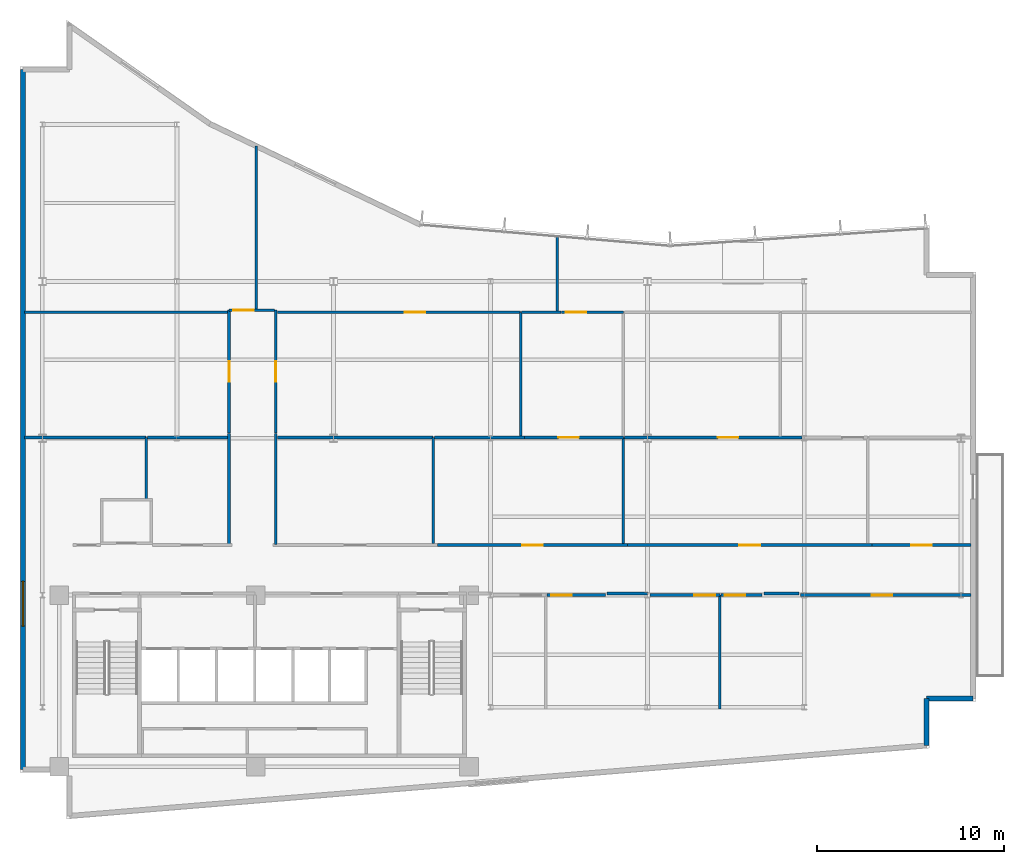
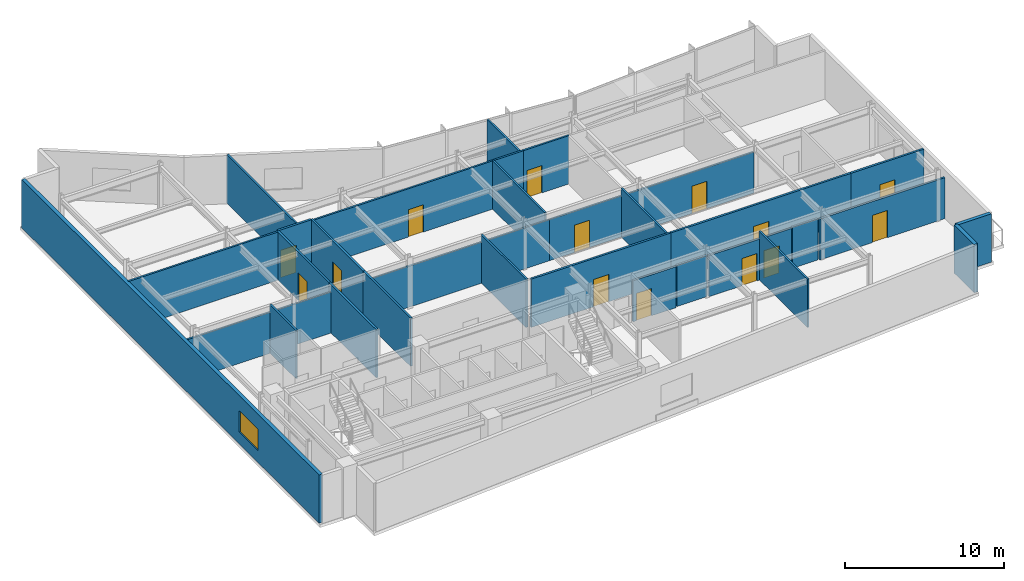
# One storey, part 10 of 14: 34 walls, 14 doors, 1 window, 15 openings.
"""IFC4 building model written with IfcOpenShell, lengths in metres."""

from ifc_helpers import new_model, si_unit, direction, frame, frame_2d, origin, place, context, subcontext, project, spatial, rectangle, extrude, material, layer, layer_set, type_object, element, fill, save


model = new_model("IFC4")

# Units and contexts
model_context = context("Model", 3, precision=1e-05, world=origin(), true_north=direction((0.0, 1.0)))
body_context = subcontext(model_context, "Body", "Model", "MODEL_VIEW")
ifc_project = project(units=[si_unit("LENGTHUNIT", "METRE"), si_unit("AREAUNIT", "SQUARE_METRE"), si_unit("VOLUMEUNIT", "CUBIC_METRE"), si_unit("PLANEANGLEUNIT", "RADIAN"), si_unit("MASSUNIT", "GRAM", prefix="KILO")], contexts=[model_context])

# Site, building, storey
site_placement = place(None, origin())
site = spatial("IfcSite", under=ifc_project, at=site_placement, CompositionType="ELEMENT")
building_placement = place(site_placement, origin())
building = spatial("IfcBuilding", under=site, at=building_placement, Name="Varnakote Quay Hospital", CompositionType="ELEMENT")
storey_placement = place(building_placement, frame((0.0, 0.0, 211.85009765625)))
storey = spatial("IfcBuildingStorey", under=building, at=storey_placement, Name="L52", CompositionType="ELEMENT", Elevation=211.85009765625)

# Walls
ifc_material_1 = material(Name="Fire-rated acoustic gypsum stud wall", Category="gypsum")
ifc_layer_1 = layer(ifc_material_1, 0.159912109375)
ifc_layer_set_1 = layer_set([ifc_layer_1], Name="Fire-rated acoustic gypsum stud wall")
wall_type_1 = type_object("IfcWallType", Name="WL-COMP-160", PredefinedType="PARTITIONING", material=ifc_layer_set_1)
wall_1_placement = place(storey_placement, frame((31.439208984375, 12.080078125, 0.0), z_axis=(0.0, 0.0, 1.0), x_axis=(1.0, 0.0, 0.0)))
element("IfcWall", 1, at=wall_1_placement, inside=storey, type_object=wall_type_1, Name="L52 Corridor South Gap Wall", PredefinedType="PARTITIONING", context=body_context, shape_type="SweptSolid", body=[
    extrude(rectangle(XDim=2.199462890625, YDim=0.159912109375, at=frame_2d((1.099609375, 0.0))), origin(), (0.0, 0.0, 1.0), 3.15185546875),
])
wall_2_placement = place(storey_placement, frame((39.83935546875, 12.080078125, 0.0), z_axis=(0.0, 0.0, 1.0), x_axis=(1.0, 0.0, 0.0)))
element("IfcWall", 2, at=wall_2_placement, inside=storey, type_object=wall_type_1, Name="L52 Corridor South Gap Wall", PredefinedType="PARTITIONING", context=body_context, shape_type="SweptSolid", body=[
    extrude(rectangle(XDim=1.871337890625, YDim=0.159912109375, at=frame_2d((0.935546875, 0.0))), origin(), (0.0, 0.0, 1.0), 3.15185546875),
])
ifc_material_2 = material(Name="Precast concrete N50 (f'c 50 MPa)", Category="concrete")
ifc_layer_2 = layer(ifc_material_2, 0.260009765625)
ifc_layer_set_2 = layer_set([ifc_layer_2], Name="Precast concrete N50 (f'c 50 MPa)")
wall_type_2 = type_object("IfcWallType", Name="WL-EXT-BRICK-260", PredefinedType="STANDARD", material=ifc_layer_set_2)
wall_3_placement = place(storey_placement, frame((48.5400390625, 3.947509765625, 0.0), z_axis=(0.0, 0.0, 1.0), x_axis=(0.0, 1.0, 0.0)))
element("IfcWall", 3, at=wall_3_placement, inside=storey, type_object=wall_type_2, Name="L52 Brick-Faced Precast Exterior Wall", PredefinedType="STANDARD", context=body_context, shape_type="SweptSolid", body=[
    extrude(rectangle(XDim=2.512451171875, YDim=0.260009765625, at=frame_2d((1.25634765625, 0.0))), origin(), (0.0, 0.0, 1.0), 3.7099609375),
])
wall_4_placement = place(storey_placement, frame((48.5400390625, 6.4599609375, 0.0), z_axis=(0.0, 0.0, 1.0), x_axis=(1.0, 0.0, 0.0)))
element("IfcWall", 4, at=wall_4_placement, inside=storey, type_object=wall_type_2, Name="L52 Brick-Faced Precast Exterior Wall", PredefinedType="STANDARD", context=body_context, shape_type="SweptSolid", body=[
    extrude(rectangle(XDim=2.5, YDim=0.260009765625, at=frame_2d((1.25, 0.0))), origin(), (0.0, 0.0, 1.0), 3.7099609375),
])

# Wall, opening, window
wall_5_placement = place(storey_placement, frame((0.159912109375, 40.139892578125, 0.0), z_axis=(0.0, 0.0, 1.0), x_axis=(0.0, -1.0, 0.0)))
wall_5 = element("IfcWall", 5, at=wall_5_placement, inside=storey, type_object=wall_type_2, Name="L52 Brick-Faced Precast Exterior Wall", PredefinedType="STANDARD", context=body_context, shape_type="SweptSolid", body=[
    extrude(rectangle(XDim=37.47998046875, YDim=0.260009765625, at=frame_2d((18.739990234375, 0.0))), origin(), (0.0, 0.0, 1.0), 3.7099609375),
])
opening_1_placement = place(wall_5_placement, frame((27.39990234375, 0.0, 0.89990234375)))
opening_1 = element("IfcOpeningElement", 6, at=opening_1_placement, cuts=wall_5, Name="Opening WN-0217", PredefinedType="OPENING", context=body_context, shape_type="SweptSolid", body=[
    extrude(rectangle(XDim=2.39990234375, YDim=1.64990234375, at=frame_2d((1.199951171875, 0.824951171875))), frame((0.0, 0.139892578125, 0.0), z_axis=(0.0, -1.0, 0.0), x_axis=(1.0, 0.0, 0.0)), (0.0, 0.0, 1.0), 0.280029296875),
])
ifc_material_3 = material(Name="Double-glazed low-E solar glass", Category="glass")
window_type = type_object("IfcWindowType", Name="WIN-CLIN-2400x1650", PartitioningType="SINGLE_PANEL", PredefinedType="WINDOW", material=ifc_material_3)
window_placement = place(opening_1_placement, origin())
window = element("IfcWindow", 7, at=window_placement, inside=storey, type_object=window_type, Name="L52 Solar-Control Clinical Window", OverallHeight=1.64990234375, OverallWidth=2.39990234375, PartitioningType="SINGLE_PANEL", PredefinedType="WINDOW", context=body_context, shape_type="SweptSolid", body=[
    extrude(rectangle(XDim=2.39990234375, YDim=1.64990234375, at=frame_2d((1.199951171875, 0.824951171875))), frame((0.0, 0.030029296875, 0.0), z_axis=(0.0, -1.0, 0.0), x_axis=(1.0, 0.0, 0.0)), (0.0, 0.0, 1.0), 0.06005859375),
])
fill(opening_1, window)

# Walls
ifc_material_4 = material(Name="Smoke-proof clinical partition", Category="gypsum")
ifc_layer_3 = layer(ifc_material_4, 0.135009765625)
ifc_layer_set_3 = layer_set([ifc_layer_3], Name="Smoke-proof clinical partition")
wall_type_3 = type_object("IfcWallType", Name="WL-SMOKE-135", PredefinedType="PARTITIONING", material=ifc_layer_set_3)
wall_6_placement = place(storey_placement, frame((37.47998046875, 5.89990234375, 0.0), z_axis=(0.0, 0.0, 1.0), x_axis=(0.0, 1.0, 0.0)))
element("IfcWall", 8, at=wall_6_placement, inside=storey, type_object=wall_type_3, Name="L52 Clinical Interior Partition", PredefinedType="PARTITIONING", context=body_context, shape_type="SweptSolid", body=[
    extrude(rectangle(XDim=6.10009765625, YDim=0.135009765625, at=frame_2d((3.050048828125, 0.0))), origin(), (0.0, 0.0, 1.0), 3.7099609375),
])
wall_7_placement = place(storey_placement, frame((6.760009765625, 17.139892578125, 0.0), z_axis=(0.0, 0.0, 1.0), x_axis=(0.0, 1.0, 0.0)))
element("IfcWall", 9, at=wall_7_placement, inside=storey, type_object=wall_type_3, Name="L52 Clinical Interior Partition", PredefinedType="PARTITIONING", context=body_context, shape_type="SweptSolid", body=[
    extrude(rectangle(XDim=3.300048828125, YDim=0.135009765625, at=frame_2d((1.64990234375, 0.0))), origin(), (0.0, 0.0, 1.0), 3.7099609375),
])
wall_8_placement = place(storey_placement, frame((6.760009765625, 20.43994140625, 0.0), z_axis=(0.0, 0.0, 1.0), x_axis=(-1.0, 0.0, 0.0)))
element("IfcWall", 10, at=wall_8_placement, inside=storey, type_object=wall_type_3, Name="L52 Clinical Interior Partition", PredefinedType="PARTITIONING", context=body_context, shape_type="SweptSolid", body=[
    extrude(rectangle(XDim=6.52001953125, YDim=0.135009765625, at=frame_2d((3.260009765625, 0.0))), origin(), (0.0, 0.0, 1.0), 3.15185546875),
])
wall_9_placement = place(storey_placement, frame((11.1201171875, 20.43994140625, 0.0), z_axis=(0.0, 0.0, 1.0), x_axis=(-1.0, 0.0, 0.0)))
element("IfcWall", 11, at=wall_9_placement, inside=storey, type_object=wall_type_3, Name="L52 Clinical Interior Partition", PredefinedType="PARTITIONING", context=body_context, shape_type="SweptSolid", body=[
    extrude(rectangle(XDim=4.302734375, YDim=0.135009765625, at=frame_2d((2.1513671875, 0.0))), origin(), (0.0, 0.0, 1.0), 3.15185546875),
])
wall_10_placement = place(storey_placement, frame((22.1298828125, 14.760009765625, 0.0), z_axis=(0.0, 0.0, 1.0), x_axis=(0.0, 1.0, 0.0)))
element("IfcWall", 12, at=wall_10_placement, inside=storey, type_object=wall_type_3, Name="L52 Clinical Interior Partition", PredefinedType="PARTITIONING", context=body_context, shape_type="SweptSolid", body=[
    extrude(rectangle(XDim=5.679931640625, YDim=0.135009765625, at=frame_2d((2.83984375, 0.0))), origin(), (0.0, 0.0, 1.0), 3.7099609375),
])
wall_11_placement = place(storey_placement, frame((22.1298828125, 20.43994140625, 0.0), z_axis=(0.0, 0.0, 1.0), x_axis=(-1.0, 0.0, 0.0)))
element("IfcWall", 13, at=wall_11_placement, inside=storey, type_object=wall_type_3, Name="L52 Clinical Interior Partition", PredefinedType="PARTITIONING", context=body_context, shape_type="SweptSolid", body=[
    extrude(rectangle(XDim=8.349853515625, YDim=0.135009765625, at=frame_2d((4.1748046875, 0.0))), origin(), (0.0, 0.0, 1.0), 3.15185546875),
])
wall_12_placement = place(storey_placement, frame((32.31005859375, 14.760009765625, 0.0), z_axis=(0.0, 0.0, 1.0), x_axis=(0.0, 1.0, 0.0)))
element("IfcWall", 14, at=wall_12_placement, inside=storey, type_object=wall_type_3, Name="L52 Clinical Interior Partition", PredefinedType="PARTITIONING", context=body_context, shape_type="SweptSolid", body=[
    extrude(rectangle(XDim=5.679931640625, YDim=0.135009765625, at=frame_2d((2.83984375, 0.0))), origin(), (0.0, 0.0, 1.0), 3.7099609375),
])
wall_13_placement = place(storey_placement, frame((27.017578125, 20.43994140625, 0.0), z_axis=(0.0, 0.0, 1.0), x_axis=(-1.0, 0.0, 0.0)))
element("IfcWall", 15, at=wall_13_placement, inside=storey, type_object=wall_type_3, Name="L52 Clinical Interior Partition", PredefinedType="PARTITIONING", context=body_context, shape_type="SweptSolid", body=[
    extrude(rectangle(XDim=4.830078125, YDim=0.135009765625, at=frame_2d((2.4150390625, 0.0))), origin(), (0.0, 0.0, 1.0), 3.15185546875),
])

# Wall, opening, door
wall_14_placement = place(storey_placement, frame((32.31005859375, 20.43994140625, 0.0), z_axis=(0.0, 0.0, 1.0), x_axis=(-1.0, 0.0, 0.0)))
wall_14 = element("IfcWall", 16, at=wall_14_placement, inside=storey, type_object=wall_type_3, Name="L52 Clinical Interior Partition", PredefinedType="PARTITIONING", context=body_context, shape_type="SweptSolid", body=[
    extrude(rectangle(XDim=5.29052734375, YDim=0.135009765625, at=frame_2d((2.645263671875, 0.0))), origin(), (0.0, 0.0, 1.0), 3.15185546875),
])
opening_2_placement = place(wall_14_placement, frame((2.37939453125, 0.0, 0.0)))
opening_2 = element("IfcOpeningElement", 17, at=opening_2_placement, cuts=wall_14, Name="Opening D-L52-MD08", PredefinedType="OPENING", context=body_context, shape_type="SweptSolid", body=[
    extrude(rectangle(XDim=1.10009765625, YDim=2.10009765625, at=frame_2d((0.550048828125, 1.050048828125))), frame((0.0, 0.077392578125, 0.0), z_axis=(0.0, -1.0, 0.0), x_axis=(1.0, 0.0, 0.0)), (0.0, 0.0, 1.0), 0.155029296875),
])
ifc_material_5 = material(Name="Acoustic timber clinical consult door", Category="wood")
door_type = type_object("IfcDoorType", Name="DR-CLIN-FD30S-1100x2100", OperationType="NOTDEFINED", PredefinedType="DOOR", material=ifc_material_5)
door_1_placement = place(opening_2_placement, origin())
door_1 = element("IfcDoor", 18, at=door_1_placement, inside=storey, type_object=door_type, Name="L52 Oncology Nurse Office Door", OperationType="SINGLE_SWING_LEFT", OverallHeight=2.10009765625, OverallWidth=1.10009765625, PredefinedType="DOOR", context=body_context, shape_type="SweptSolid", body=[
    extrude(rectangle(XDim=1.10009765625, YDim=2.10009765625, at=frame_2d((0.550048828125, 1.050048828125))), frame((0.0, 0.02490234375, 0.0), z_axis=(0.0, -1.0, 0.0), x_axis=(1.0, 0.0, 0.0)), (0.0, 0.0, 1.0), 0.050048828125),
])
fill(opening_2, door_1)

wall_15_placement = place(storey_placement, frame((41.8720703125, 20.43994140625, 0.0), z_axis=(0.0, 0.0, 1.0), x_axis=(-1.0, 0.0, 0.0)))
wall_15 = element("IfcWall", 19, at=wall_15_placement, inside=storey, type_object=wall_type_3, Name="L52 Clinical Interior Partition", PredefinedType="PARTITIONING", context=body_context, shape_type="SweptSolid", body=[
    extrude(rectangle(XDim=9.504638671875, YDim=0.135009765625, at=frame_2d((4.75244140625, 0.0))), origin(), (0.0, 0.0, 1.0), 3.15185546875),
])
opening_3_placement = place(wall_15_placement, frame((3.40185546875, 0.0, 0.0)))
opening_3 = element("IfcOpeningElement", 20, at=opening_3_placement, cuts=wall_15, Name="Opening D-L52-MD09", PredefinedType="OPENING", context=body_context, shape_type="SweptSolid", body=[
    extrude(rectangle(XDim=1.10009765625, YDim=2.10009765625, at=frame_2d((0.550048828125, 1.050048828125))), frame((0.0, 0.077392578125, 0.0), z_axis=(0.0, -1.0, 0.0), x_axis=(1.0, 0.0, 0.0)), (0.0, 0.0, 1.0), 0.155029296875),
])
door_2_placement = place(opening_3_placement, origin())
door_2 = element("IfcDoor", 21, at=door_2_placement, inside=storey, type_object=door_type, Name="L52 Day Procedure Treatment Suite Door", OperationType="SINGLE_SWING_RIGHT", OverallHeight=2.10009765625, OverallWidth=1.10009765625, PredefinedType="DOOR", context=body_context, shape_type="SweptSolid", body=[
    extrude(rectangle(XDim=1.10009765625, YDim=2.10009765625, at=frame_2d((0.550048828125, 1.050048828125))), frame((0.0, 0.02490234375, 0.0), z_axis=(0.0, -1.0, 0.0), x_axis=(1.0, 0.0, 0.0)), (0.0, 0.0, 1.0), 0.050048828125),
])
fill(opening_3, door_2)

# Walls
wall_16_placement = place(storey_placement, frame((11.1201171875, 27.139892578125, 0.0), z_axis=(0.0, 0.0, 1.0), x_axis=(-1.0, 0.0, 0.0)))
element("IfcWall", 22, at=wall_16_placement, inside=storey, type_object=wall_type_3, Name="L52 Clinical Interior Partition", PredefinedType="PARTITIONING", context=body_context, shape_type="SweptSolid", body=[
    extrude(rectangle(XDim=10.880126953125, YDim=0.135009765625, at=frame_2d((5.43994140625, 0.0))), origin(), (0.0, 0.0, 1.0), 3.7099609375),
])
wall_17_placement = place(storey_placement, frame((26.81005859375, 20.49755859375, 0.0), z_axis=(0.0, 0.0, 1.0), x_axis=(0.0, 1.0, 0.0)))
element("IfcWall", 23, at=wall_17_placement, inside=storey, type_object=wall_type_3, Name="L52 Clinical Interior Partition", PredefinedType="PARTITIONING", context=body_context, shape_type="SweptSolid", body=[
    extrude(rectangle(XDim=6.642333984375, YDim=0.135009765625, at=frame_2d((3.3212890625, 0.0))), origin(), (0.0, 0.0, 1.0), 3.7099609375),
])

# Wall, opening, door
wall_18_placement = place(storey_placement, frame((26.81005859375, 27.139892578125, 0.0), z_axis=(0.0, 0.0, 1.0), x_axis=(-1.0, 0.0, 0.0)))
wall_18 = element("IfcWall", 24, at=wall_18_placement, inside=storey, type_object=wall_type_3, Name="L52 Clinical Interior Partition", PredefinedType="PARTITIONING", context=body_context, shape_type="SweptSolid", body=[
    extrude(rectangle(XDim=13.030029296875, YDim=0.135009765625, at=frame_2d((6.51513671875, 0.0))), origin(), (0.0, 0.0, 1.0), 3.7099609375),
])
opening_4_placement = place(wall_18_placement, frame((5.10009765625, 0.0, 0.0)))
opening_4 = element("IfcOpeningElement", 25, at=opening_4_placement, cuts=wall_18, Name="Opening D-L52-MD12", PredefinedType="OPENING", context=body_context, shape_type="SweptSolid", body=[
    extrude(rectangle(XDim=1.10009765625, YDim=2.10009765625, at=frame_2d((0.550048828125, 1.050048828125))), frame((0.0, 0.077392578125, 0.0), z_axis=(0.0, -1.0, 0.0), x_axis=(1.0, 0.0, 0.0)), (0.0, 0.0, 1.0), 0.155029296875),
])
door_3_placement = place(opening_4_placement, origin())
door_3 = element("IfcDoor", 26, at=door_3_placement, inside=storey, type_object=door_type, Name="L52 Oncology Nurse Office Door", OperationType="SINGLE_SWING_RIGHT", OverallHeight=2.10009765625, OverallWidth=1.10009765625, PredefinedType="DOOR", context=body_context, shape_type="SweptSolid", body=[
    extrude(rectangle(XDim=1.10009765625, YDim=2.10009765625, at=frame_2d((0.550048828125, 1.050048828125))), frame((0.0, 0.02490234375, 0.0), z_axis=(0.0, -1.0, 0.0), x_axis=(1.0, 0.0, 0.0)), (0.0, 0.0, 1.0), 0.050048828125),
])
fill(opening_4, door_3)

# Wall
wall_19_placement = place(storey_placement, frame((28.987548828125, 27.139892578125, 0.0), z_axis=(0.0, 0.0, 1.0), x_axis=(-1.0, 0.0, 0.0)))
element("IfcWall", 27, at=wall_19_placement, inside=storey, type_object=wall_type_3, Name="L52 Clinical Interior Partition", PredefinedType="PARTITIONING", context=body_context, shape_type="SweptSolid", body=[
    extrude(rectangle(XDim=2.1201171875, YDim=0.135009765625, at=frame_2d((1.06005859375, 0.0))), origin(), (0.0, 0.0, 1.0), 3.7099609375),
])

# Wall, opening, door
wall_20_placement = place(storey_placement, frame((32.31005859375, 27.139892578125, 0.0), z_axis=(0.0, 0.0, 1.0), x_axis=(-1.0, 0.0, 0.0)))
wall_20 = element("IfcWall", 28, at=wall_20_placement, inside=storey, type_object=wall_type_3, Name="L52 Clinical Interior Partition", PredefinedType="PARTITIONING", context=body_context, shape_type="SweptSolid", body=[
    extrude(rectangle(XDim=3.320556640625, YDim=0.135009765625, at=frame_2d((1.66015625, 0.0))), origin(), (0.0, 0.0, 1.0), 3.7099609375),
])
opening_5_placement = place(wall_20_placement, frame((1.97509765625, 0.0, 0.0)))
opening_5 = element("IfcOpeningElement", 29, at=opening_5_placement, cuts=wall_20, Name="Opening D-L52-MD13", PredefinedType="OPENING", context=body_context, shape_type="SweptSolid", body=[
    extrude(rectangle(XDim=1.10009765625, YDim=2.10009765625, at=frame_2d((0.550048828125, 1.050048828125))), frame((0.0, 0.077392578125, 0.0), z_axis=(0.0, -1.0, 0.0), x_axis=(1.0, 0.0, 0.0)), (0.0, 0.0, 1.0), 0.155029296875),
])
door_4_placement = place(opening_5_placement, origin())
door_4 = element("IfcDoor", 30, at=door_4_placement, inside=storey, type_object=door_type, Name="L52 Day Procedure Treatment Suite Door", OperationType="SINGLE_SWING_LEFT", OverallHeight=2.10009765625, OverallWidth=1.10009765625, PredefinedType="DOOR", context=body_context, shape_type="SweptSolid", body=[
    extrude(rectangle(XDim=1.10009765625, YDim=2.10009765625, at=frame_2d((0.550048828125, 1.050048828125))), frame((0.0, 0.02490234375, 0.0), z_axis=(0.0, -1.0, 0.0), x_axis=(1.0, 0.0, 0.0)), (0.0, 0.0, 1.0), 0.050048828125),
])
fill(opening_5, door_4)

# Walls
wall_21_placement = place(storey_placement, frame((12.64990234375, 27.320068359375, 0.0), z_axis=(0.0, 0.0, 1.0), x_axis=(0.0, 1.0, 0.0)))
element("IfcWall", 31, at=wall_21_placement, inside=storey, type_object=wall_type_3, Name="L52 Clinical Interior Partition", PredefinedType="PARTITIONING", context=body_context, shape_type="SweptSolid", body=[
    extrude(rectangle(XDim=8.72412109375, YDim=0.135009765625, at=frame_2d((4.362060546875, 0.0))), origin(), (0.0, 0.0, 1.0), 3.7099609375),
])
wall_22_placement = place(storey_placement, frame((28.780029296875, 27.197509765625, 0.0), z_axis=(0.0, 0.0, 1.0), x_axis=(0.0, 1.0, 0.0)))
element("IfcWall", 32, at=wall_22_placement, inside=storey, type_object=wall_type_3, Name="L52 Clinical Interior Partition", PredefinedType="PARTITIONING", context=body_context, shape_type="SweptSolid", body=[
    extrude(rectangle(XDim=4.007568359375, YDim=0.135009765625, at=frame_2d((2.00390625, 0.0))), origin(), (0.0, 0.0, 1.0), 3.7099609375),
])

# Wall, opening, door
ifc_material_6 = material(Name="Fire-rated clinical gypsum partition", Category="gypsum")
ifc_layer_4 = layer(ifc_material_6, 0.14990234375)
ifc_layer_set_4 = layer_set([ifc_layer_4], Name="Fire-rated clinical gypsum partition")
wall_type_4 = type_object("IfcWallType", Name="WL-WARD-150", PredefinedType="PARTITIONING", material=ifc_layer_set_4)
wall_23_placement = place(storey_placement, frame((31.35009765625, 12.0, 0.0), z_axis=(0.0, 0.0, 1.0), x_axis=(-1.0, 0.0, 0.0)))
wall_23 = element("IfcWall", 33, at=wall_23_placement, inside=storey, type_object=wall_type_4, Name="L52 Clinical Interior Partition", PredefinedType="PARTITIONING", context=body_context, shape_type="SweptSolid", body=[
    extrude(rectangle(XDim=3.132568359375, YDim=0.14990234375, at=frame_2d((1.56640625, 0.0))), origin(), (0.0, 0.0, 1.0), 3.15185546875),
])
opening_6_placement = place(wall_23_placement, frame((1.791748046875, 0.0, 0.0)))
opening_6 = element("IfcOpeningElement", 34, at=opening_6_placement, cuts=wall_23, Name="Opening D-L52-RL2", PredefinedType="OPENING", context=body_context, shape_type="SweptSolid", body=[
    extrude(rectangle(XDim=1.10009765625, YDim=2.10009765625, at=frame_2d((0.550048828125, 1.050048828125))), frame((0.0, 0.0849609375, 0.0), z_axis=(0.0, -1.0, 0.0), x_axis=(1.0, 0.0, 0.0)), (0.0, 0.0, 1.0), 0.169921875),
])
door_5_placement = place(opening_6_placement, origin())
door_5 = element("IfcDoor", 35, at=door_5_placement, inside=storey, type_object=door_type, Name="L52 Telemedicine Consult Office Door", OperationType="SINGLE_SWING_RIGHT", OverallHeight=2.10009765625, OverallWidth=1.10009765625, PredefinedType="DOOR", context=body_context, shape_type="SweptSolid", body=[
    extrude(rectangle(XDim=1.10009765625, YDim=2.10009765625, at=frame_2d((0.550048828125, 1.050048828125))), frame((0.0, 0.02490234375, 0.0), z_axis=(0.0, -1.0, 0.0), x_axis=(1.0, 0.0, 0.0)), (0.0, 0.0, 1.0), 0.050048828125),
])
fill(opening_6, door_5)

wall_24_placement = place(storey_placement, frame((37.47998046875, 12.0, 0.0), z_axis=(0.0, 0.0, 1.0), x_axis=(-1.0, 0.0, 0.0)))
wall_24 = element("IfcWall", 36, at=wall_24_placement, inside=storey, type_object=wall_type_4, Name="L52 Clinical Interior Partition", PredefinedType="PARTITIONING", context=body_context, shape_type="SweptSolid", body=[
    extrude(rectangle(XDim=3.751953125, YDim=0.14990234375, at=frame_2d((1.8759765625, 0.0))), origin(), (0.0, 0.0, 1.0), 3.15185546875),
])
opening_7_placement = place(wall_24_placement, frame((0.25634765625, 0.0, 0.0)))
opening_7 = element("IfcOpeningElement", 37, at=opening_7_placement, cuts=wall_24, Name="Opening D-L52-RM1", PredefinedType="OPENING", context=body_context, shape_type="SweptSolid", body=[
    extrude(rectangle(XDim=1.10009765625, YDim=2.10009765625, at=frame_2d((0.550048828125, 1.050048828125))), frame((0.0, 0.0849609375, 0.0), z_axis=(0.0, -1.0, 0.0), x_axis=(1.0, 0.0, 0.0)), (0.0, 0.0, 1.0), 0.169921875),
])
door_6_placement = place(opening_7_placement, origin())
door_6 = element("IfcDoor", 38, at=door_6_placement, inside=storey, type_object=door_type, Name="L52 Cardiac Telemetry Treatment Suite Door", OperationType="SINGLE_SWING_LEFT", OverallHeight=2.10009765625, OverallWidth=1.10009765625, PredefinedType="DOOR", context=body_context, shape_type="SweptSolid", body=[
    extrude(rectangle(XDim=1.10009765625, YDim=2.10009765625, at=frame_2d((0.550048828125, 1.050048828125))), frame((0.0, 0.02490234375, 0.0), z_axis=(0.0, -1.0, 0.0), x_axis=(1.0, 0.0, 0.0)), (0.0, 0.0, 1.0), 0.050048828125),
])
fill(opening_7, door_6)

wall_25_placement = place(storey_placement, frame((39.75, 12.0, 0.0), z_axis=(0.0, 0.0, 1.0), x_axis=(-1.0, 0.0, 0.0)))
wall_25 = element("IfcWall", 39, at=wall_25_placement, inside=storey, type_object=wall_type_4, Name="L52 Clinical Interior Partition", PredefinedType="PARTITIONING", context=body_context, shape_type="SweptSolid", body=[
    extrude(rectangle(XDim=2.21240234375, YDim=0.14990234375, at=frame_2d((1.106201171875, 0.0))), origin(), (0.0, 0.0, 1.0), 3.15185546875),
])
opening_8_placement = place(wall_25_placement, frame((0.894775390625, 0.0, 0.0)))
opening_8 = element("IfcOpeningElement", 40, at=opening_8_placement, cuts=wall_25, Name="Opening D-L52-RM2", PredefinedType="OPENING", context=body_context, shape_type="SweptSolid", body=[
    extrude(rectangle(XDim=1.10009765625, YDim=2.10009765625, at=frame_2d((0.550048828125, 1.050048828125))), frame((0.0, 0.0849609375, 0.0), z_axis=(0.0, -1.0, 0.0), x_axis=(1.0, 0.0, 0.0)), (0.0, 0.0, 1.0), 0.169921875),
])
door_7_placement = place(opening_8_placement, origin())
door_7 = element("IfcDoor", 41, at=door_7_placement, inside=storey, type_object=door_type, Name="L52 Vascular Diagnostics Office Door", OperationType="SINGLE_SWING_RIGHT", OverallHeight=2.10009765625, OverallWidth=1.10009765625, PredefinedType="DOOR", context=body_context, shape_type="SweptSolid", body=[
    extrude(rectangle(XDim=1.10009765625, YDim=2.10009765625, at=frame_2d((0.550048828125, 1.050048828125))), frame((0.0, 0.02490234375, 0.0), z_axis=(0.0, -1.0, 0.0), x_axis=(1.0, 0.0, 0.0)), (0.0, 0.0, 1.0), 0.050048828125),
])
fill(opening_8, door_7)

wall_26_placement = place(storey_placement, frame((50.919921875, 12.0, 0.0), z_axis=(0.0, 0.0, 1.0), x_axis=(-1.0, 0.0, 0.0)))
wall_26 = element("IfcWall", 42, at=wall_26_placement, inside=storey, type_object=wall_type_4, Name="L52 Clinical Interior Partition", PredefinedType="PARTITIONING", context=body_context, shape_type="SweptSolid", body=[
    extrude(rectangle(XDim=9.119873046875, YDim=0.14990234375, at=frame_2d((4.56005859375, 0.0))), origin(), (0.0, 0.0, 1.0), 3.15185546875),
])
opening_9_placement = place(wall_26_placement, frame((4.200439453125, 0.0, 0.0)))
opening_9 = element("IfcOpeningElement", 43, at=opening_9_placement, cuts=wall_26, Name="Opening D-L52-SE1", PredefinedType="OPENING", context=body_context, shape_type="SweptSolid", body=[
    extrude(rectangle(XDim=1.10009765625, YDim=2.10009765625, at=frame_2d((0.550048828125, 1.050048828125))), frame((0.0, 0.0849609375, 0.0), z_axis=(0.0, -1.0, 0.0), x_axis=(1.0, 0.0, 0.0)), (0.0, 0.0, 1.0), 0.169921875),
])
door_8_placement = place(opening_9_placement, origin())
door_8 = element("IfcDoor", 44, at=door_8_placement, inside=storey, type_object=door_type, Name="L52 Clinical Biomedical Engineering Office Door", OperationType="SINGLE_SWING_LEFT", OverallHeight=2.10009765625, OverallWidth=1.10009765625, PredefinedType="DOOR", context=body_context, shape_type="SweptSolid", body=[
    extrude(rectangle(XDim=1.10009765625, YDim=2.10009765625, at=frame_2d((0.550048828125, 1.050048828125))), frame((0.0, 0.02490234375, 0.0), z_axis=(0.0, -1.0, 0.0), x_axis=(1.0, 0.0, 0.0)), (0.0, 0.0, 1.0), 0.050048828125),
])
fill(opening_9, door_8)

wall_27_placement = place(storey_placement, frame((32.535888671875, 14.679931640625, 0.0), z_axis=(0.0, 0.0, 1.0), x_axis=(-1.0, 0.0, 0.0)))
wall_27 = element("IfcWall", 45, at=wall_27_placement, inside=storey, type_object=wall_type_4, Name="L52 Clinical Interior Partition", PredefinedType="PARTITIONING", context=body_context, shape_type="SweptSolid", body=[
    extrude(rectangle(XDim=10.177978515625, YDim=0.14990234375, at=frame_2d((5.0888671875, 0.0))), origin(), (0.0, 0.0, 1.0), 3.7099609375),
])
opening_10_placement = place(wall_27_placement, frame((4.5390625, 0.0, 0.0)))
opening_10 = element("IfcOpeningElement", 46, at=opening_10_placement, cuts=wall_27, Name="Opening D-L52-MD04", PredefinedType="OPENING", context=body_context, shape_type="SweptSolid", body=[
    extrude(rectangle(XDim=1.10009765625, YDim=2.10009765625, at=frame_2d((0.550048828125, 1.050048828125))), frame((0.0, 0.0849609375, 0.0), z_axis=(0.0, -1.0, 0.0), x_axis=(1.0, 0.0, 0.0)), (0.0, 0.0, 1.0), 0.169921875),
])
door_9_placement = place(opening_10_placement, origin())
door_9 = element("IfcDoor", 47, at=door_9_placement, inside=storey, type_object=door_type, Name="L52 Oncology Nurse Office Door", OperationType="SINGLE_SWING_LEFT", OverallHeight=2.10009765625, OverallWidth=1.10009765625, PredefinedType="DOOR", context=body_context, shape_type="SweptSolid", body=[
    extrude(rectangle(XDim=1.10009765625, YDim=2.10009765625, at=frame_2d((0.550048828125, 1.050048828125))), frame((0.0, 0.02490234375, 0.0), z_axis=(0.0, -1.0, 0.0), x_axis=(1.0, 0.0, 0.0)), (0.0, 0.0, 1.0), 0.050048828125),
])
fill(opening_10, door_9)

wall_28_placement = place(storey_placement, frame((45.6259765625, 14.679931640625, 0.0), z_axis=(0.0, 0.0, 1.0), x_axis=(-1.0, 0.0, 0.0)))
wall_28 = element("IfcWall", 48, at=wall_28_placement, inside=storey, type_object=wall_type_4, Name="L52 Clinical Interior Partition", PredefinedType="PARTITIONING", context=body_context, shape_type="SweptSolid", body=[
    extrude(rectangle(XDim=13.087890625, YDim=0.14990234375, at=frame_2d((6.5439453125, 0.0))), origin(), (0.0, 0.0, 1.0), 3.7099609375),
])
opening_11_placement = place(wall_28_placement, frame((5.993896484375, 0.0, 0.0)))
opening_11 = element("IfcOpeningElement", 49, at=opening_11_placement, cuts=wall_28, Name="Opening D-L52-MD05", PredefinedType="OPENING", context=body_context, shape_type="SweptSolid", body=[
    extrude(rectangle(XDim=1.10009765625, YDim=2.10009765625, at=frame_2d((0.550048828125, 1.050048828125))), frame((0.0, 0.0849609375, 0.0), z_axis=(0.0, -1.0, 0.0), x_axis=(1.0, 0.0, 0.0)), (0.0, 0.0, 1.0), 0.169921875),
])
door_10_placement = place(opening_11_placement, origin())
door_10 = element("IfcDoor", 50, at=door_10_placement, inside=storey, type_object=door_type, Name="L52 Day Procedure Treatment Suite Door", OperationType="SINGLE_SWING_RIGHT", OverallHeight=2.10009765625, OverallWidth=1.10009765625, PredefinedType="DOOR", context=body_context, shape_type="SweptSolid", body=[
    extrude(rectangle(XDim=1.10009765625, YDim=2.10009765625, at=frame_2d((0.550048828125, 1.050048828125))), frame((0.0, 0.02490234375, 0.0), z_axis=(0.0, -1.0, 0.0), x_axis=(1.0, 0.0, 0.0)), (0.0, 0.0, 1.0), 0.050048828125),
])
fill(opening_11, door_10)

wall_29_placement = place(storey_placement, frame((50.919921875, 14.679931640625, 0.0), z_axis=(0.0, 0.0, 1.0), x_axis=(-1.0, 0.0, 0.0)))
wall_29 = element("IfcWall", 51, at=wall_29_placement, inside=storey, type_object=wall_type_4, Name="L52 Clinical Interior Partition", PredefinedType="PARTITIONING", context=body_context, shape_type="SweptSolid", body=[
    extrude(rectangle(XDim=5.2919921875, YDim=0.14990234375, at=frame_2d((2.64599609375, 0.0))), origin(), (0.0, 0.0, 1.0), 3.7099609375),
])
opening_12_placement = place(wall_29_placement, frame((2.095947265625, 0.0, 0.0)))
opening_12 = element("IfcOpeningElement", 52, at=opening_12_placement, cuts=wall_29, Name="Opening D-L52-DLNG", PredefinedType="OPENING", context=body_context, shape_type="SweptSolid", body=[
    extrude(rectangle(XDim=1.10009765625, YDim=2.10009765625, at=frame_2d((0.550048828125, 1.050048828125))), frame((0.0, 0.0849609375, 0.0), z_axis=(0.0, -1.0, 0.0), x_axis=(1.0, 0.0, 0.0)), (0.0, 0.0, 1.0), 0.169921875),
])
door_11_placement = place(opening_12_placement, origin())
door_11 = element("IfcDoor", 53, at=door_11_placement, inside=storey, type_object=door_type, Name="L52 Waterfront Patient & Family Dayroom Door", OperationType="SINGLE_SWING_LEFT", OverallHeight=2.10009765625, OverallWidth=1.10009765625, PredefinedType="DOOR", context=body_context, shape_type="SweptSolid", body=[
    extrude(rectangle(XDim=1.10009765625, YDim=2.10009765625, at=frame_2d((0.550048828125, 1.050048828125))), frame((0.0, 0.02490234375, 0.0), z_axis=(0.0, -1.0, 0.0), x_axis=(1.0, 0.0, 0.0)), (0.0, 0.0, 1.0), 0.050048828125),
])
fill(opening_12, door_11)

# Walls
for number, where, z_axis, x_axis, name in (
    (54, (11.199951171875, 20.666015625, 0.0), (0.0, 0.0, 1.0), (0.0, -1.0, 0.0), "L52 Clinical Interior Partition"),
    (55, (13.699951171875, 14.699951171875, 0.0), (0.0, 0.0, 1.0), (0.0, 1.0, 0.0), "L52 Clinical Interior Partition"),
):
    element("IfcWall", number, at=place(storey_placement, frame(where, z_axis=z_axis, x_axis=x_axis)), inside=storey, type_object=wall_type_4, Name=name, PredefinedType="PARTITIONING", context=body_context, shape_type="SweptSolid", body=[
        extrude(rectangle(XDim=5.966064453125, YDim=0.14990234375, at=frame_2d((2.98291015625, 0.0))), origin(), (0.0, 0.0, 1.0), 3.7099609375),
    ])

# Wall, opening, door
wall_30_placement = place(storey_placement, frame((11.199951171875, 27.260009765625, 0.0), z_axis=(0.0, 0.0, 1.0), x_axis=(0.0, -1.0, 0.0)))
wall_30 = element("IfcWall", 56, at=wall_30_placement, inside=storey, type_object=wall_type_4, Name="L52 Clinical Interior Partition", PredefinedType="PARTITIONING", context=body_context, shape_type="SweptSolid", body=[
    extrude(rectangle(XDim=6.592041015625, YDim=0.14990234375, at=frame_2d((3.2958984375, 0.0))), origin(), (0.0, 0.0, 1.0), 3.7099609375),
])
opening_13_placement = place(wall_30_placement, frame((2.74609375, 0.0, 0.0)))
opening_13 = element("IfcOpeningElement", 57, at=opening_13_placement, cuts=wall_30, Name="Opening D-L52-MD06", PredefinedType="OPENING", context=body_context, shape_type="SweptSolid", body=[
    extrude(rectangle(XDim=1.10009765625, YDim=2.10009765625, at=frame_2d((0.550048828125, 1.050048828125))), frame((0.0, 0.0849609375, 0.0), z_axis=(0.0, -1.0, 0.0), x_axis=(1.0, 0.0, 0.0)), (0.0, 0.0, 1.0), 0.169921875),
])
door_12_placement = place(opening_13_placement, origin())
door_12 = element("IfcDoor", 58, at=door_12_placement, inside=storey, type_object=door_type, Name="L52 Oncology Infusion Treatment Suite Door", OperationType="SINGLE_SWING_RIGHT", OverallHeight=2.10009765625, OverallWidth=1.10009765625, PredefinedType="DOOR", context=body_context, shape_type="SweptSolid", body=[
    extrude(rectangle(XDim=1.10009765625, YDim=2.10009765625, at=frame_2d((0.550048828125, 1.050048828125))), frame((0.0, 0.02490234375, 0.0), z_axis=(0.0, -1.0, 0.0), x_axis=(1.0, 0.0, 0.0)), (0.0, 0.0, 1.0), 0.050048828125),
])
fill(opening_13, door_12)

wall_31_placement = place(storey_placement, frame((13.699951171875, 20.66796875, 0.0), z_axis=(0.0, 0.0, 1.0), x_axis=(0.0, 1.0, 0.0)))
wall_31 = element("IfcWall", 59, at=wall_31_placement, inside=storey, type_object=wall_type_4, Name="L52 Clinical Interior Partition", PredefinedType="PARTITIONING", context=body_context, shape_type="SweptSolid", body=[
    extrude(rectangle(XDim=6.592041015625, YDim=0.14990234375, at=frame_2d((3.2958984375, 0.0))), origin(), (0.0, 0.0, 1.0), 3.7099609375),
])
opening_14_placement = place(wall_31_placement, frame((2.74609375, 0.0, 0.0)))
opening_14 = element("IfcOpeningElement", 60, at=opening_14_placement, cuts=wall_31, Name="Opening D-L52-MD07", PredefinedType="OPENING", context=body_context, shape_type="SweptSolid", body=[
    extrude(rectangle(XDim=1.10009765625, YDim=2.10009765625, at=frame_2d((0.550048828125, 1.050048828125))), frame((0.0, 0.0849609375, 0.0), z_axis=(0.0, -1.0, 0.0), x_axis=(1.0, 0.0, 0.0)), (0.0, 0.0, 1.0), 0.169921875),
])
door_13_placement = place(opening_14_placement, origin())
door_13 = element("IfcDoor", 61, at=door_13_placement, inside=storey, type_object=door_type, Name="L52 Ward Clean Medication Pantry Door", OperationType="SINGLE_SWING_LEFT", OverallHeight=2.10009765625, OverallWidth=1.10009765625, PredefinedType="DOOR", context=body_context, shape_type="SweptSolid", body=[
    extrude(rectangle(XDim=1.10009765625, YDim=2.10009765625, at=frame_2d((0.550048828125, 1.050048828125))), frame((0.0, 0.02490234375, 0.0), z_axis=(0.0, -1.0, 0.0), x_axis=(1.0, 0.0, 0.0)), (0.0, 0.0, 1.0), 0.050048828125),
])
fill(opening_14, door_13)

wall_32_placement = place(storey_placement, frame((13.635009765625, 27.260009765625, 0.0), z_axis=(0.0, 0.0, 1.0), x_axis=(-1.0, 0.0, 0.0)))
wall_32 = element("IfcWall", 62, at=wall_32_placement, inside=storey, type_object=wall_type_4, Name="L52 Clinical Interior Partition", PredefinedType="PARTITIONING", context=body_context, shape_type="SweptSolid", body=[
    extrude(rectangle(XDim=2.43505859375, YDim=0.14990234375, at=frame_2d((1.217529296875, 0.0))), origin(), (0.0, 0.0, 1.0), 3.7099609375),
])
opening_15_placement = place(wall_32_placement, frame((1.111572265625, 0.0, 0.0)))
opening_15 = element("IfcOpeningElement", 63, at=opening_15_placement, cuts=wall_32, Name="Opening D-L52-MD11", PredefinedType="OPENING", context=body_context, shape_type="SweptSolid", body=[
    extrude(rectangle(XDim=1.10009765625, YDim=2.10009765625, at=frame_2d((0.550048828125, 1.050048828125))), frame((0.0, 0.0849609375, 0.0), z_axis=(0.0, -1.0, 0.0), x_axis=(1.0, 0.0, 0.0)), (0.0, 0.0, 1.0), 0.169921875),
])
door_14_placement = place(opening_15_placement, origin())
door_14 = element("IfcDoor", 64, at=door_14_placement, inside=storey, type_object=door_type, Name="L52 Ward Clean Medication Pantry Door", OperationType="SINGLE_SWING_RIGHT", OverallHeight=2.10009765625, OverallWidth=1.10009765625, PredefinedType="DOOR", context=body_context, shape_type="SweptSolid", body=[
    extrude(rectangle(XDim=1.10009765625, YDim=2.10009765625, at=frame_2d((0.550048828125, 1.050048828125))), frame((0.0, 0.02490234375, 0.0), z_axis=(0.0, -1.0, 0.0), x_axis=(1.0, 0.0, 0.0)), (0.0, 0.0, 1.0), 0.050048828125),
])
fill(opening_15, door_14)

save(model, "model.ifc")
